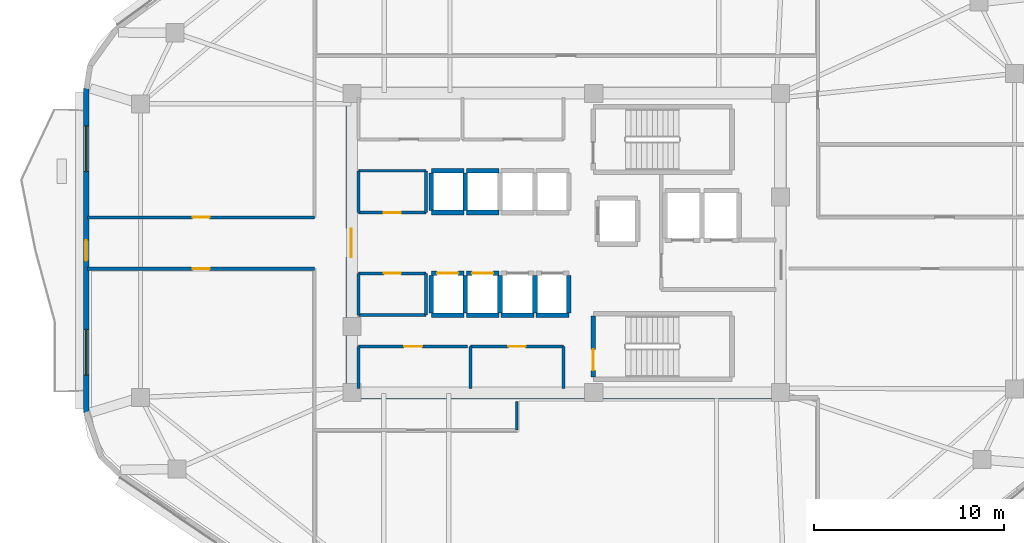
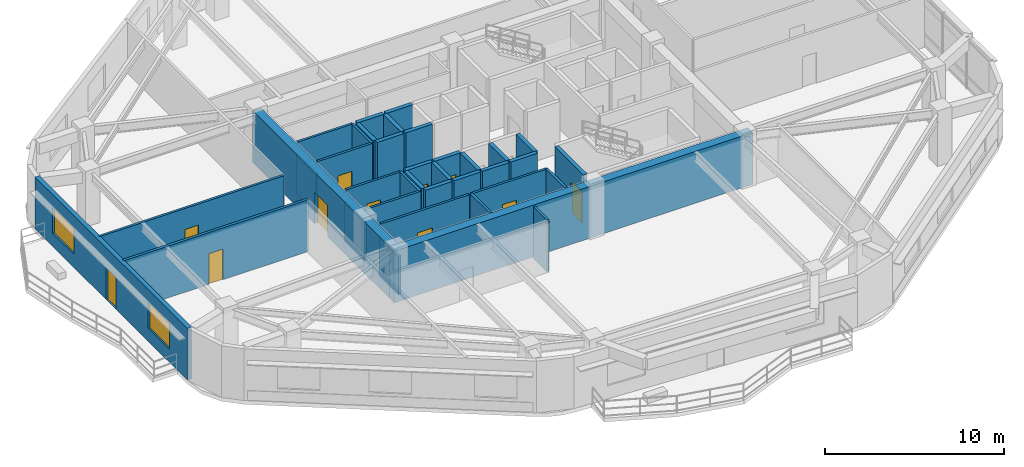
# One storey, part 9 of 14: 37 walls, 11 doors, 2 windows, 13 openings.
"""IFC4 building model written with IfcOpenShell, lengths in metres."""

import ifcopenshell
import ifcopenshell.guid

model = None  # the IFC model being written
_history = None  # IfcOwnerHistory: only IFC2X3 demands one
_inside = {}  # id of a spatial element -> (the spatial element, [elements in it])
_under = {}  # id of a project, library or spatial element -> (it, [spatial elements below it])
_declared = {}  # id of a project -> (the project, [libraries it declares])
_typed = {}  # id of a type object -> (the type object, [elements of that type])
_made_of = {}  # id of a material, layer set ... -> (it, [elements and type objects made of it])


def new_model(schema):
    """Start an empty IFC model of exactly this schema.

    Asked for "IFC4X3", IfcOpenShell would pick the latest addendum, in which some entities
    have other attributes; the version numbers below select the first issue.
    IFC2X3 requires an IfcOwnerHistory on every rooted entity: one is made here for all.
    """
    global model, _history
    if schema == "IFC4X3":
        model = ifcopenshell.file(schema_version=(4, 3, 0, 0))
    else:
        model = ifcopenshell.file(schema=schema)
    _inside.clear()
    _under.clear()
    _declared.clear()
    _typed.clear()
    _made_of.clear()
    _history = None
    if model.schema == "IFC2X3":
        org = make("IfcOrganization", Name="unknown")
        user = make(
            "IfcPersonAndOrganization",
            ThePerson=make("IfcPerson", FamilyName="unknown"),
            TheOrganization=org,
        )
        app = make(
            "IfcApplication",
            ApplicationDeveloper=org,
            Version="unknown",
            ApplicationFullName="unknown",
            ApplicationIdentifier="unknown",
        )
        _history = make(
            "IfcOwnerHistory",
            OwningUser=user,
            OwningApplication=app,
            ChangeAction="ADDED",
            CreationDate=0,
        )
    return model


def make(cls, **values):
    """One entity of the class cls with the attributes given. An attribute that is None is left unset."""
    return model.create_entity(
        cls, **{name: value for name, value in values.items() if value is not None}
    )


def rooted(cls, **values):
    """An entity with a GlobalId (a new one), such as an element, a storey or a relation."""
    return make(cls, GlobalId=ifcopenshell.guid.new(), OwnerHistory=_history, **values)


def si_unit(unit_type, name, prefix=None):
    """IfcSIUnit, for example si_unit("LENGTHUNIT", "METRE", prefix="MILLI")."""
    return make("IfcSIUnit", UnitType=unit_type, Prefix=prefix, Name=name)


def assignment(units):
    """IfcUnitAssignment: the units of a project."""
    return None if units is None else make("IfcUnitAssignment", Units=units)


def point(xyz):
    """IfcCartesianPoint."""
    return None if xyz is None else make("IfcCartesianPoint", Coordinates=xyz)


def direction(xyz):
    """IfcDirection."""
    return None if xyz is None else make("IfcDirection", DirectionRatios=xyz)


def frame(location, z_axis=None, x_axis=None):
    """IfcAxis2Placement3D, a coordinate frame: its origin and axes. An axis left out is left unset."""
    return make(
        "IfcAxis2Placement3D",
        Location=point(location),
        Axis=direction(z_axis),
        RefDirection=direction(x_axis),
    )


def frame_2d(location, x_axis=None):
    """IfcAxis2Placement2D, a coordinate frame in the plane: its origin and x axis."""
    return make(
        "IfcAxis2Placement2D", Location=point(location), RefDirection=direction(x_axis)
    )


def origin():
    """The frame at (0, 0, 0) with its axes left unset."""
    return frame((0.0, 0.0, 0.0))


def place(relative_to, where):
    """IfcLocalPlacement: puts the frame where relative to a parent placement (None: the world)."""
    return make(
        "IfcLocalPlacement", PlacementRelTo=relative_to, RelativePlacement=where
    )


def context(
    kind, dimensions, precision=None, world=None, true_north=None, identifier=None
):
    """IfcGeometricRepresentationContext, for example the 3D "Model" context."""
    return make(
        "IfcGeometricRepresentationContext",
        ContextIdentifier=identifier,
        ContextType=kind,
        CoordinateSpaceDimension=dimensions,
        Precision=precision,
        WorldCoordinateSystem=world,
        TrueNorth=true_north,
    )


def subcontext(parent, identifier, kind, view, scale=None):
    """IfcGeometricRepresentationSubContext, for example "Body" below "Model"."""
    return make(
        "IfcGeometricRepresentationSubContext",
        ContextIdentifier=identifier,
        ContextType=kind,
        ParentContext=parent,
        TargetScale=scale,
        TargetView=view,
    )


def project(units=None, contexts=None):
    """IfcProject with its units and contexts."""
    return rooted(
        "IfcProject",
        Name="project",
        RepresentationContexts=contexts,
        UnitsInContext=assignment(units),
    )


def spatial(cls, under=None, at=None, **own):
    """A site, building, storey or space (cls), placed at a placement, below another one or the project."""
    s = rooted(cls, ObjectPlacement=at, **own)
    if under is not None:
        _under.setdefault(under.id(), (under, []))[1].append(s)
    return s


def profile(cls, at=None, kind="AREA", **sizes):
    """A parametric profile (cls). Its sizes go by their IFC names, for example OverallWidth=200.0."""
    return make(cls, ProfileType=kind, Position=at, **sizes)


def rectangle(**sizes):
    """IfcRectangleProfileDef."""
    return profile("IfcRectangleProfileDef", **sizes)


def extrude(swept, where, along, depth):
    """IfcExtrudedAreaSolid: the profile swept, set in the frame where, extruded along a direction by depth."""
    return make(
        "IfcExtrudedAreaSolid",
        SweptArea=swept,
        Position=where,
        ExtrudedDirection=direction(along),
        Depth=depth,
    )


def shape(context_of_items, identifier, shape_type, items):
    """IfcShapeRepresentation: the items that make up one representation, for example the "Body"."""
    return make(
        "IfcShapeRepresentation",
        ContextOfItems=context_of_items,
        RepresentationIdentifier=identifier,
        RepresentationType=shape_type,
        Items=items,
    )


def material(Name=None, Category=None):
    """IfcMaterial."""
    return make("IfcMaterial", Name=Name, Category=Category)


def layer(
    of_material, thickness, ventilated=None, Name=None, Category=None, Priority=None
):
    """IfcMaterialLayer: one layer of a wall or slab, of a material (None: an air gap)."""
    return make(
        "IfcMaterialLayer",
        Material=of_material,
        LayerThickness=thickness,
        IsVentilated=ventilated,
        Name=Name,
        Category=Category,
        Priority=Priority,
    )


def layer_set(layers, Name=None):
    """IfcMaterialLayerSet."""
    return make("IfcMaterialLayerSet", MaterialLayers=layers, LayerSetName=Name)


def made_of(thing, what):
    """Note that an element or type object is made of a material, layer set ...; save() writes the relation."""
    if what is not None:
        _made_of.setdefault(what.id(), (what, []))[1].append(thing)
    return thing


def type_object(cls, material=None, **own):
    """A type object (cls), such as IfcWallType, which elements share."""
    return made_of(rooted(cls, **own), material)


def element(
    cls,
    number,
    at=None,
    inside=None,
    cuts=None,
    type_object=None,
    material=None,
    context=None,
    identifier="Body",
    shape_type=None,
    held_by="IfcProductDefinitionShape",
    body=None,
    shapes=None,
    **own,
):
    """One element of the class cls, such as IfcWall. Its Tag is "e" and its number.

    at: its placement. inside: the storey or other place that contains it. cuts: it is an
    opening in that element (IfcRelVoidsElement). A single representation is given by context,
    identifier, shape_type and body (its items); several are given by shapes. held_by: the class
    of the entity that holds the representations. save() writes the other relations.
    """
    e = rooted(cls, Tag="e%d" % number, ObjectPlacement=at, **own)
    if body is not None:
        shapes = [shape(context, identifier, shape_type, body)]
    if shapes is not None:
        e.Representation = make(held_by, Representations=shapes)
    if inside is not None:
        _inside.setdefault(inside.id(), (inside, []))[1].append(e)
    if cuts is not None:
        rooted(
            "IfcRelVoidsElement", RelatingBuildingElement=cuts, RelatedOpeningElement=e
        )
    if type_object is not None:
        _typed.setdefault(type_object.id(), (type_object, []))[1].append(e)
    return made_of(e, material)


def fill(opening, filler):
    """IfcRelFillsElement: the door or window that sits in an opening."""
    return rooted(
        "IfcRelFillsElement",
        RelatingOpeningElement=opening,
        RelatedBuildingElement=filler,
    )


def aggregate(whole, parts):
    """IfcRelAggregates: a whole, such as a stair, and the parts it consists of."""
    return rooted("IfcRelAggregates", RelatingObject=whole, RelatedObjects=parts)


def save(model, path):
    """Write the relations noted so far, then the file.

    IfcRelAggregates (storeys below a building ...), IfcRelContainedInSpatialStructure (elements
    in a storey), IfcRelDefinesByType, IfcRelAssociatesMaterial and IfcRelDeclares: one each for
    every whole, place, type object, material and project.
    """
    for whole, parts in _under.values():
        aggregate(whole, parts)
    for where, things in _inside.values():
        rooted(
            "IfcRelContainedInSpatialStructure",
            RelatedElements=things,
            RelatingStructure=where,
        )
    for kind, things in _typed.values():
        rooted("IfcRelDefinesByType", RelatedObjects=things, RelatingType=kind)
    for what, things in _made_of.values():
        rooted("IfcRelAssociatesMaterial", RelatedObjects=things, RelatingMaterial=what)
    for by, libraries in _declared.values():
        rooted("IfcRelDeclares", RelatingContext=by, RelatedDefinitions=libraries)
    model.write(path)


model = new_model("IFC4")

# Units and contexts
model_context = context("Model", 3, precision=1e-05, world=origin(), true_north=direction((0.0, 1.0)))
body_context = subcontext(model_context, "Body", "Model", "MODEL_VIEW")
ifc_project = project(units=[si_unit("LENGTHUNIT", "METRE"), si_unit("AREAUNIT", "SQUARE_METRE"), si_unit("VOLUMEUNIT", "CUBIC_METRE"), si_unit("PLANEANGLEUNIT", "RADIAN"), si_unit("MASSUNIT", "GRAM", prefix="KILO")], contexts=[model_context])

# Site, building, storey
site_placement = place(None, origin())
site = spatial("IfcSite", under=ifc_project, at=site_placement, CompositionType="ELEMENT")
building_placement = place(site_placement, origin())
building = spatial("IfcBuilding", under=site, at=building_placement, Name="Zulverin Broadcast Headquarters", CompositionType="ELEMENT")
storey_placement = place(building_placement, frame((0.0, 0.0, 201.0)))
storey = spatial("IfcBuildingStorey", under=building, at=storey_placement, Name="L51", CompositionType="ELEMENT", Elevation=201.0)

# Wall
ifc_material_1 = material(Name="Concrete C60/75", Category="concrete")
ifc_layer_1 = layer(ifc_material_1, 0.550048828125, Name="Concrete C60/75", Category="concrete")
ifc_layer_set_1 = layer_set([ifc_layer_1], Name="Concrete C60/75")
wall_type_1 = type_object("IfcWallType", Name="WL-CORE-550", PredefinedType="SHEAR", material=ifc_layer_set_1)
wall_1_placement = place(storey_placement, frame((25.39990234375, 17.27490234375, 0.0), z_axis=(0.0, 0.0, 1.0), x_axis=(1.0, 0.0, 0.0)))
element("IfcWall", 1, at=wall_1_placement, inside=storey, type_object=wall_type_1, Name="L51 Core South Shear Wall", PredefinedType="SHEAR", context=body_context, shape_type="SweptSolid", body=[
    extrude(rectangle(XDim=23.2001953125, YDim=0.550048828125, at=frame_2d((11.60009765625, 0.0))), origin(), (0.0, 0.0, 1.0), 3.5400390625),
])

# Wall, opening, door
wall_2_placement = place(storey_placement, frame((25.675048828125, 17.550048828125, 0.0), z_axis=(0.0, 0.0, 1.0), x_axis=(0.0, 1.0, 0.0)))
wall_2 = element("IfcWall", 2, at=wall_2_placement, inside=storey, type_object=wall_type_1, Name="L51 Core West Shear Wall", PredefinedType="SHEAR", context=body_context, shape_type="SweptSolid", body=[
    extrude(rectangle(XDim=15.300048828125, YDim=0.550048828125, at=frame_2d((7.64990234375, 0.0))), origin(), (0.0, 0.0, 1.0), 3.5400390625),
])
opening_1_placement = place(wall_2_placement, frame((6.89990234375, 0.0, 0.0)))
opening_1 = element("IfcOpeningElement", 3, at=opening_1_placement, cuts=wall_2, Name="Opening D-L51-CW1", PredefinedType="OPENING", context=body_context, shape_type="SweptSolid", body=[
    extrude(rectangle(XDim=1.5, YDim=2.14990234375, at=frame_2d((0.75, 1.074951171875))), frame((0.0, 0.284912109375, 0.0), z_axis=(0.0, -1.0, 0.0), x_axis=(1.0, 0.0, 0.0)), (0.0, 0.0, 1.0), 0.570068359375),
])
ifc_material_2 = material(Name="Fire-rated glazed steel frame", Category="steel")
door_type_1 = type_object("IfcDoorType", Name="DR-COR-1500", OperationType="DOUBLE_DOOR_SINGLE_SWING", PredefinedType="DOOR", material=ifc_material_2)
door_1_placement = place(opening_1_placement, origin())
door_1 = element("IfcDoor", 4, at=door_1_placement, inside=storey, type_object=door_type_1, Name="L51 Central Lift Lobby West Portal Door", OperationType="DOUBLE_DOOR_SINGLE_SWING", OverallHeight=2.14990234375, OverallWidth=1.5, PredefinedType="DOOR", context=body_context, shape_type="SweptSolid", body=[
    extrude(rectangle(XDim=1.5, YDim=2.14990234375, at=frame_2d((0.75, 1.074951171875))), frame((0.0, 0.02490234375, 0.0), z_axis=(0.0, -1.0, 0.0), x_axis=(1.0, 0.0, 0.0)), (0.0, 0.0, 1.0), 0.050048828125),
])
fill(opening_1, door_1)

# Wall, openings, door, windows
ifc_material_3 = material(Name="Insulated pale-metal clad concrete spandrel C40/50", Category="concrete")
ifc_layer_2 = layer(ifc_material_3, 0.280029296875, Name="Insulated pale-metal clad concrete spandrel C40/50", Category="concrete")
ifc_layer_set_2 = layer_set([ifc_layer_2], Name="Insulated pale-metal clad concrete spandrel C40/50")
wall_type_2 = type_object("IfcWallType", Name="WL-EXT-280", PredefinedType="STANDARD", material=ifc_layer_set_2)
wall_3_placement = place(storey_placement, frame((11.739990234375, 33.34033203125, 0.0), z_axis=(0.0, 0.0, 1.0), x_axis=(0.0, -1.0, 0.0)))
wall_3 = element("IfcWall", 5, at=wall_3_placement, inside=storey, type_object=wall_type_2, Name="L51 Pale-Metal Clad Spandrel Wall 7", PredefinedType="STANDARD", context=body_context, shape_type="SweptSolid", body=[
    extrude(rectangle(XDim=17.07275390625, YDim=0.280029296875, at=frame_2d((8.536376953125, 0.0))), origin(), (0.0, 0.0, 1.0), 3.5400390625),
])
opening_2_placement = place(wall_3_placement, frame((7.986328125, 0.0, 0.0)))
opening_2 = element("IfcOpeningElement", 6, at=opening_2_placement, cuts=wall_3, Name="Opening D-L51-TR7", PredefinedType="OPENING", context=body_context, shape_type="SweptSolid", body=[
    extrude(rectangle(XDim=1.10009765625, YDim=2.199951171875, at=frame_2d((0.550048828125, 1.10009765625))), frame((0.0, 0.14990234375, 0.0), z_axis=(0.0, -1.0, 0.0), x_axis=(1.0, 0.0, 0.0)), (0.0, 0.0, 1.0), 0.300048828125),
])
opening_3_placement = place(wall_3_placement, frame((1.978759765625, 0.0, 0.89990234375)))
opening_3 = element("IfcOpeningElement", 7, at=opening_3_placement, cuts=wall_3, Name="Opening W-L51-E71", PredefinedType="OPENING", context=body_context, shape_type="SweptSolid", body=[
    extrude(rectangle(XDim=2.39990234375, YDim=1.75, at=frame_2d((1.199951171875, 0.875))), frame((0.0, 0.14990234375, 0.0), z_axis=(0.0, -1.0, 0.0), x_axis=(1.0, 0.0, 0.0)), (0.0, 0.0, 1.0), 0.300048828125),
])
opening_4_placement = place(wall_3_placement, frame((12.69384765625, 0.0, 0.89990234375)))
opening_4 = element("IfcOpeningElement", 8, at=opening_4_placement, cuts=wall_3, Name="Opening W-L51-E72", PredefinedType="OPENING", context=body_context, shape_type="SweptSolid", body=[
    extrude(rectangle(XDim=2.39990234375, YDim=1.75, at=frame_2d((1.199951171875, 0.875))), frame((0.0, 0.14990234375, 0.0), z_axis=(0.0, -1.0, 0.0), x_axis=(1.0, 0.0, 0.0)), (0.0, 0.0, 1.0), 0.300048828125),
])
ifc_material_4 = material(Name="Thermally broken aluminium glazed", Category="aluminium")
door_type_2 = type_object("IfcDoorType", Name="DR-TERR-1100", OperationType="SINGLE_SWING_RIGHT", PredefinedType="DOOR", material=ifc_material_4)
door_2_placement = place(opening_2_placement, origin())
door_2 = element("IfcDoor", 9, at=door_2_placement, inside=storey, type_object=door_type_2, Name="L51 Planted Terrace Glazed Access Door 7", OperationType="SINGLE_SWING_RIGHT", OverallHeight=2.199951171875, OverallWidth=1.10009765625, PredefinedType="DOOR", context=body_context, shape_type="SweptSolid", body=[
    extrude(rectangle(XDim=1.10009765625, YDim=2.199951171875, at=frame_2d((0.550048828125, 1.10009765625))), frame((0.0, 0.02490234375, 0.0), z_axis=(0.0, -1.0, 0.0), x_axis=(1.0, 0.0, 0.0)), (0.0, 0.0, 1.0), 0.050048828125),
])
fill(opening_2, door_2)
ifc_material_5 = material(Name="Pale anodized aluminium frame with solar-control low-E double glazing", Category="aluminium")
window_type = type_object("IfcWindowType", Name="WIN-RIB-2400", PartitioningType="SINGLE_PANEL", PredefinedType="WINDOW", material=ifc_material_5)
window_1_placement = place(opening_3_placement, origin())
window_1 = element("IfcWindow", 10, at=window_1_placement, inside=storey, type_object=window_type, Name="L51 Ribbon Glazing Window 7 1", OverallHeight=1.75, OverallWidth=2.39990234375, PartitioningType="SINGLE_PANEL", PredefinedType="WINDOW", context=body_context, shape_type="SweptSolid", body=[
    extrude(rectangle(XDim=2.39990234375, YDim=1.75, at=frame_2d((1.199951171875, 0.875))), frame((0.0, 0.030029296875, 0.0), z_axis=(0.0, -1.0, 0.0), x_axis=(1.0, 0.0, 0.0)), (0.0, 0.0, 1.0), 0.06005859375),
])
fill(opening_3, window_1)
window_2_placement = place(opening_4_placement, origin())
window_2 = element("IfcWindow", 11, at=window_2_placement, inside=storey, type_object=window_type, Name="L51 Ribbon Glazing Window 7 2", OverallHeight=1.75, OverallWidth=2.39990234375, PartitioningType="SINGLE_PANEL", PredefinedType="WINDOW", context=body_context, shape_type="SweptSolid", body=[
    extrude(rectangle(XDim=2.39990234375, YDim=1.75, at=frame_2d((1.199951171875, 0.875))), frame((0.0, 0.030029296875, 0.0), z_axis=(0.0, -1.0, 0.0), x_axis=(1.0, 0.0, 0.0)), (0.0, 0.0, 1.0), 0.06005859375),
])
fill(opening_4, window_2)

# Wall, opening, door
ifc_material_6 = material(Name="Fire-rated gypsum stud partition", Category="gypsum")
ifc_layer_3 = layer(ifc_material_6, 0.14990234375, Name="Fire-rated gypsum stud partition", Category="gypsum")
ifc_layer_set_3 = layer_set([ifc_layer_3], Name="Fire-rated gypsum stud partition")
wall_type_3 = type_object("IfcWallType", Name="WL-PART-150", PredefinedType="PARTITIONING", material=ifc_layer_set_3)
wall_4_placement = place(storey_placement, frame((26.070068359375, 19.75, 0.0), z_axis=(0.0, 0.0, 1.0), x_axis=(1.0, 0.0, 0.0)))
wall_4 = element("IfcWall", 12, at=wall_4_placement, inside=storey, type_object=wall_type_3, Name="L51 Core Female WC Front Wall", PredefinedType="PARTITIONING", context=body_context, shape_type="SweptSolid", body=[
    extrude(rectangle(XDim=5.739990234375, YDim=0.14990234375, at=frame_2d((2.8701171875, 0.0))), origin(), (0.0, 0.0, 1.0), 3.5400390625),
])
opening_5_placement = place(wall_4_placement, frame((2.39501953125, 0.0, 0.0)))
opening_5 = element("IfcOpeningElement", 13, at=opening_5_placement, cuts=wall_4, Name="Opening D-L51-SC1", PredefinedType="OPENING", context=body_context, shape_type="SweptSolid", body=[
    extrude(rectangle(XDim=0.949951171875, YDim=2.10009765625, at=frame_2d((0.47509765625, 1.050048828125))), frame((0.0, 0.0849609375, 0.0), z_axis=(0.0, -1.0, 0.0), x_axis=(1.0, 0.0, 0.0)), (0.0, 0.0, 1.0), 0.169921875),
])
ifc_material_7 = material(Name="Fire-rated moisture-resistant laminate leaf", Category="wood")
door_type_3 = type_object("IfcDoorType", Name="DR-WC-950", OperationType="SINGLE_SWING_LEFT", PredefinedType="DOOR", material=ifc_material_7)
door_3_placement = place(opening_5_placement, origin())
door_3 = element("IfcDoor", 14, at=door_3_placement, inside=storey, type_object=door_type_3, Name="L51 Female WC Door", OperationType="SINGLE_SWING_LEFT", OverallHeight=2.10009765625, OverallWidth=0.949951171875, PredefinedType="DOOR", context=body_context, shape_type="SweptSolid", body=[
    extrude(rectangle(XDim=0.949951171875, YDim=2.10009765625, at=frame_2d((0.47509765625, 1.050048828125))), frame((0.0, 0.02490234375, 0.0), z_axis=(0.0, -1.0, 0.0), x_axis=(1.0, 0.0, 0.0)), (0.0, 0.0, 1.0), 0.050048828125),
])
fill(opening_5, door_3)

# Wall
wall_5_placement = place(storey_placement, frame((26.070068359375, 17.550048828125, 0.0), z_axis=(0.0, 0.0, 1.0), x_axis=(0.0, 1.0, 0.0)))
element("IfcWall", 15, at=wall_5_placement, inside=storey, type_object=wall_type_3, Name="L51 Core Female WC West Wall", PredefinedType="PARTITIONING", context=body_context, shape_type="SweptSolid", body=[
    extrude(rectangle(XDim=2.199951171875, YDim=0.14990234375, at=frame_2d((1.10009765625, 0.0))), origin(), (0.0, 0.0, 1.0), 2.639892578125),
])

# Wall, opening, door
wall_6_placement = place(storey_placement, frame((31.969970703125, 19.75, 0.0), z_axis=(0.0, 0.0, 1.0), x_axis=(1.0, 0.0, 0.0)))
wall_6 = element("IfcWall", 16, at=wall_6_placement, inside=storey, type_object=wall_type_3, Name="L51 Core Cleaner Store & Telecoms Riser Front Wall", PredefinedType="PARTITIONING", context=body_context, shape_type="SweptSolid", body=[
    extrude(rectangle(XDim=4.880126953125, YDim=0.14990234375, at=frame_2d((2.43994140625, 0.0))), origin(), (0.0, 0.0, 1.0), 3.5400390625),
])
opening_6_placement = place(wall_6_placement, frame((1.989990234375, 0.0, 0.0)))
opening_6 = element("IfcOpeningElement", 17, at=opening_6_placement, cuts=wall_6, Name="Opening D-L51-SC2", PredefinedType="OPENING", context=body_context, shape_type="SweptSolid", body=[
    extrude(rectangle(XDim=0.89990234375, YDim=2.10009765625, at=frame_2d((0.449951171875, 1.050048828125))), frame((0.0, 0.0849609375, 0.0), z_axis=(0.0, -1.0, 0.0), x_axis=(1.0, 0.0, 0.0)), (0.0, 0.0, 1.0), 0.169921875),
])
ifc_material_8 = material(Name="Powder-coated steel access leaf", Category="steel")
door_type_4 = type_object("IfcDoorType", Name="DR-RISER-900", OperationType="SINGLE_SWING_LEFT", PredefinedType="DOOR", material=ifc_material_8)
door_4_placement = place(opening_6_placement, origin())
door_4 = element("IfcDoor", 18, at=door_4_placement, inside=storey, type_object=door_type_4, Name="L51 Cleaner Store & Telecoms Riser Door", OperationType="SINGLE_SWING_RIGHT", OverallHeight=2.10009765625, OverallWidth=0.89990234375, PredefinedType="DOOR", context=body_context, shape_type="SweptSolid", body=[
    extrude(rectangle(XDim=0.89990234375, YDim=2.10009765625, at=frame_2d((0.449951171875, 1.050048828125))), frame((0.0, 0.02490234375, 0.0), z_axis=(0.0, -1.0, 0.0), x_axis=(1.0, 0.0, 0.0)), (0.0, 0.0, 1.0), 0.050048828125),
])
fill(opening_6, door_4)

# Walls
for number, where, z_axis, x_axis, name in (
    (19, (31.969970703125, 17.550048828125, 0.0), (0.0, 0.0, 1.0), (0.0, 1.0, 0.0), "L51 Core Cleaner Store & Telecoms Riser West Wall"),
    (20, (36.85009765625, 17.550048828125, 0.0), (0.0, 0.0, 1.0), (0.0, 1.0, 0.0), "L51 Core Cleaner Store & Telecoms Riser East Wall"),
):
    element("IfcWall", number, at=place(storey_placement, frame(where, z_axis=z_axis, x_axis=x_axis)), inside=storey, type_object=wall_type_3, Name=name, PredefinedType="PARTITIONING", context=body_context, shape_type="SweptSolid", body=[
        extrude(rectangle(XDim=2.199951171875, YDim=0.14990234375, at=frame_2d((1.10009765625, 0.0))), origin(), (0.0, 0.0, 1.0), 3.5400390625),
    ])

# Wall, opening, door
wall_7_placement = place(storey_placement, frame((26.070068359375, 26.800048828125, 0.0), z_axis=(0.0, 0.0, 1.0), x_axis=(1.0, 0.0, 0.0)))
wall_7 = element("IfcWall", 21, at=wall_7_placement, inside=storey, type_object=wall_type_3, Name="L51 Broadcast Signal Patch Room S Wall", PredefinedType="PARTITIONING", context=body_context, shape_type="SweptSolid", body=[
    extrude(rectangle(XDim=3.550048828125, YDim=0.14990234375, at=frame_2d((1.77490234375, 0.0))), origin(), (0.0, 0.0, 1.0), 3.5400390625),
])
opening_7_placement = place(wall_7_placement, frame((1.324951171875, 0.0, 0.0)))
opening_7 = element("IfcOpeningElement", 22, at=opening_7_placement, cuts=wall_7, Name="Opening D-L51-RCLN", PredefinedType="OPENING", context=body_context, shape_type="SweptSolid", body=[
    extrude(rectangle(XDim=0.89990234375, YDim=2.10009765625, at=frame_2d((0.449951171875, 1.050048828125))), frame((0.0, 0.0849609375, 0.0), z_axis=(0.0, -1.0, 0.0), x_axis=(1.0, 0.0, 0.0)), (0.0, 0.0, 1.0), 0.169921875),
])
door_5_placement = place(opening_7_placement, origin())
door_5 = element("IfcDoor", 23, at=door_5_placement, inside=storey, type_object=door_type_4, Name="L51 Broadcast Signal Patch Room Door", OperationType="SINGLE_SWING_LEFT", OverallHeight=2.10009765625, OverallWidth=0.89990234375, PredefinedType="DOOR", context=body_context, shape_type="SweptSolid", body=[
    extrude(rectangle(XDim=0.89990234375, YDim=2.10009765625, at=frame_2d((0.449951171875, 1.050048828125))), frame((0.0, 0.02490234375, 0.0), z_axis=(0.0, -1.0, 0.0), x_axis=(1.0, 0.0, 0.0)), (0.0, 0.0, 1.0), 0.050048828125),
])
fill(opening_7, door_5)

# Walls
wall_8_placement = place(storey_placement, frame((26.070068359375, 29.0, 0.0), z_axis=(0.0, 0.0, 1.0), x_axis=(1.0, 0.0, 0.0)))
element("IfcWall", 24, at=wall_8_placement, inside=storey, type_object=wall_type_3, Name="L51 Broadcast Signal Patch Room N Wall", PredefinedType="PARTITIONING", context=body_context, shape_type="SweptSolid", body=[
    extrude(rectangle(XDim=3.550048828125, YDim=0.14990234375, at=frame_2d((1.77490234375, 0.0))), origin(), (0.0, 0.0, 1.0), 3.5400390625),
])
wall_9_placement = place(storey_placement, frame((26.070068359375, 26.800048828125, 0.0), z_axis=(0.0, 0.0, 1.0), x_axis=(0.0, 1.0, 0.0)))
element("IfcWall", 25, at=wall_9_placement, inside=storey, type_object=wall_type_3, Name="L51 Broadcast Signal Patch Room W Wall", PredefinedType="PARTITIONING", context=body_context, shape_type="SweptSolid", body=[
    extrude(rectangle(XDim=2.199951171875, YDim=0.14990234375, at=frame_2d((1.10009765625, 0.0))), origin(), (0.0, 0.0, 1.0), 2.639892578125),
])
wall_10_placement = place(storey_placement, frame((29.6201171875, 26.800048828125, 0.0), z_axis=(0.0, 0.0, 1.0), x_axis=(0.0, 1.0, 0.0)))
element("IfcWall", 26, at=wall_10_placement, inside=storey, type_object=wall_type_3, Name="L51 Broadcast Signal Patch Room E Wall", PredefinedType="PARTITIONING", context=body_context, shape_type="SweptSolid", body=[
    extrude(rectangle(XDim=2.199951171875, YDim=0.14990234375, at=frame_2d((1.10009765625, 0.0))), origin(), (0.0, 0.0, 1.0), 3.5400390625),
])
wall_11_placement = place(storey_placement, frame((26.070068359375, 21.39990234375, 0.0), z_axis=(0.0, 0.0, 1.0), x_axis=(1.0, 0.0, 0.0)))
element("IfcWall", 27, at=wall_11_placement, inside=storey, type_object=wall_type_3, Name="L51 Media Ingestion Server Room S Wall", PredefinedType="PARTITIONING", context=body_context, shape_type="SweptSolid", body=[
    extrude(rectangle(XDim=3.550048828125, YDim=0.14990234375, at=frame_2d((1.77490234375, 0.0))), origin(), (0.0, 0.0, 1.0), 3.5400390625),
])

# Wall, opening, door
wall_12_placement = place(storey_placement, frame((26.070068359375, 23.60009765625, 0.0), z_axis=(0.0, 0.0, 1.0), x_axis=(1.0, 0.0, 0.0)))
wall_12 = element("IfcWall", 28, at=wall_12_placement, inside=storey, type_object=wall_type_3, Name="L51 Media Ingestion Server Room N Wall", PredefinedType="PARTITIONING", context=body_context, shape_type="SweptSolid", body=[
    extrude(rectangle(XDim=3.550048828125, YDim=0.14990234375, at=frame_2d((1.77490234375, 0.0))), origin(), (0.0, 0.0, 1.0), 3.5400390625),
])
opening_8_placement = place(wall_12_placement, frame((1.324951171875, 0.0, 0.0)))
opening_8 = element("IfcOpeningElement", 29, at=opening_8_placement, cuts=wall_12, Name="Opening D-L51-RCLS", PredefinedType="OPENING", context=body_context, shape_type="SweptSolid", body=[
    extrude(rectangle(XDim=0.89990234375, YDim=2.10009765625, at=frame_2d((0.449951171875, 1.050048828125))), frame((0.0, 0.0849609375, 0.0), z_axis=(0.0, -1.0, 0.0), x_axis=(1.0, 0.0, 0.0)), (0.0, 0.0, 1.0), 0.169921875),
])
door_6_placement = place(opening_8_placement, origin())
door_6 = element("IfcDoor", 30, at=door_6_placement, inside=storey, type_object=door_type_4, Name="L51 Media Ingestion Server Room Door", OperationType="SINGLE_SWING_RIGHT", OverallHeight=2.10009765625, OverallWidth=0.89990234375, PredefinedType="DOOR", context=body_context, shape_type="SweptSolid", body=[
    extrude(rectangle(XDim=0.89990234375, YDim=2.10009765625, at=frame_2d((0.449951171875, 1.050048828125))), frame((0.0, 0.02490234375, 0.0), z_axis=(0.0, -1.0, 0.0), x_axis=(1.0, 0.0, 0.0)), (0.0, 0.0, 1.0), 0.050048828125),
])
fill(opening_8, door_6)

# Walls
wall_13_placement = place(storey_placement, frame((26.070068359375, 21.39990234375, 0.0), z_axis=(0.0, 0.0, 1.0), x_axis=(0.0, 1.0, 0.0)))
element("IfcWall", 31, at=wall_13_placement, inside=storey, type_object=wall_type_3, Name="L51 Media Ingestion Server Room W Wall", PredefinedType="PARTITIONING", context=body_context, shape_type="SweptSolid", body=[
    extrude(rectangle(XDim=2.2001953125, YDim=0.14990234375, at=frame_2d((1.10009765625, 0.0))), origin(), (0.0, 0.0, 1.0), 2.639892578125),
])
wall_14_placement = place(storey_placement, frame((29.6201171875, 21.39990234375, 0.0), z_axis=(0.0, 0.0, 1.0), x_axis=(0.0, 1.0, 0.0)))
element("IfcWall", 32, at=wall_14_placement, inside=storey, type_object=wall_type_3, Name="L51 Media Ingestion Server Room E Wall", PredefinedType="PARTITIONING", context=body_context, shape_type="SweptSolid", body=[
    extrude(rectangle(XDim=2.2001953125, YDim=0.14990234375, at=frame_2d((1.10009765625, 0.0))), origin(), (0.0, 0.0, 1.0), 3.5400390625),
])
wall_15_placement = place(storey_placement, frame((34.39990234375, 15.35009765625, 0.0), z_axis=(0.0, 0.0, 1.0), x_axis=(0.0, 1.0, 0.0)))
element("IfcWall", 33, at=wall_15_placement, inside=storey, type_object=wall_type_3, Name="L51 Gallery Partition Wall CG-03", PredefinedType="PARTITIONING", context=body_context, shape_type="SweptSolid", body=[
    extrude(rectangle(XDim=1.510009765625, YDim=0.14990234375, at=frame_2d((0.7548828125, 0.0))), origin(), (0.0, 0.0, 1.0), 3.5400390625),
])

# Wall, opening, door
wall_16_placement = place(storey_placement, frame((11.804931640625, 26.550048828125, 0.0), z_axis=(0.0, 0.0, 1.0), x_axis=(1.0, 0.0, 0.0)))
wall_16 = element("IfcWall", 34, at=wall_16_placement, inside=storey, type_object=wall_type_3, Name="L51 Gallery Partition Wall CG-10", PredefinedType="PARTITIONING", context=body_context, shape_type="SweptSolid", body=[
    extrude(rectangle(XDim=11.945068359375, YDim=0.14990234375, at=frame_2d((5.97265625, 0.0))), origin(), (0.0, 0.0, 1.0), 3.5400390625),
])
opening_9_placement = place(wall_16_placement, frame((5.5224609375, 0.0, 0.0)))
opening_9 = element("IfcOpeningElement", 35, at=opening_9_placement, cuts=wall_16, Name="Opening D-L51-04", PredefinedType="OPENING", context=body_context, shape_type="SweptSolid", body=[
    extrude(rectangle(XDim=0.89990234375, YDim=2.10009765625, at=frame_2d((0.449951171875, 1.050048828125))), frame((0.0, 0.0849609375, 0.0), z_axis=(0.0, -1.0, 0.0), x_axis=(1.0, 0.0, 0.0)), (0.0, 0.0, 1.0), 0.169921875),
])
ifc_material_9 = material(Name="Fire-rated hardwood veneer timber leaf", Category="wood")
door_type_5 = type_object("IfcDoorType", Name="DR-ROOM-900", OperationType="SINGLE_SWING_RIGHT", PredefinedType="DOOR", material=ifc_material_9)
door_7_placement = place(opening_9_placement, origin())
door_7 = element("IfcDoor", 36, at=door_7_placement, inside=storey, type_object=door_type_5, Name="L51 Coffee Cafe & Bistro Door", OperationType="SINGLE_SWING_RIGHT", OverallHeight=2.10009765625, OverallWidth=0.89990234375, PredefinedType="DOOR", context=body_context, shape_type="SweptSolid", body=[
    extrude(rectangle(XDim=0.89990234375, YDim=2.10009765625, at=frame_2d((0.449951171875, 1.050048828125))), frame((0.0, 0.02490234375, 0.0), z_axis=(0.0, -1.0, 0.0), x_axis=(1.0, 0.0, 0.0)), (0.0, 0.0, 1.0), 0.050048828125),
])
fill(opening_9, door_7)

ifc_material_10 = material(Name="Fire-rated acoustic stud wall", Category="gypsum")
ifc_layer_4 = layer(ifc_material_10, 0.175048828125, Name="Fire-rated acoustic stud wall", Category="gypsum")
ifc_layer_set_4 = layer_set([ifc_layer_4], Name="Fire-rated acoustic stud wall")
wall_type_4 = type_object("IfcWallType", Name="WL-PART-175", PredefinedType="PARTITIONING", material=ifc_layer_set_4)
wall_17_placement = place(storey_placement, frame((11.804931640625, 23.85009765625, 0.0), z_axis=(0.0, 0.0, 1.0), x_axis=(1.0, 0.0, 0.0)))
wall_17 = element("IfcWall", 37, at=wall_17_placement, inside=storey, type_object=wall_type_4, Name="L51 Gallery Partition Wall CG-08", PredefinedType="PARTITIONING", context=body_context, shape_type="SweptSolid", body=[
    extrude(rectangle(XDim=11.945068359375, YDim=0.175048828125, at=frame_2d((5.97265625, 0.0))), origin(), (0.0, 0.0, 1.0), 3.5400390625),
])
opening_10_placement = place(wall_17_placement, frame((5.5224609375, 0.0, 0.0)))
opening_10 = element("IfcOpeningElement", 38, at=opening_10_placement, cuts=wall_17, Name="Opening D-L51-03", PredefinedType="OPENING", context=body_context, shape_type="SweptSolid", body=[
    extrude(rectangle(XDim=0.89990234375, YDim=2.10009765625, at=frame_2d((0.449951171875, 1.050048828125))), frame((0.0, 0.097412109375, 0.0), z_axis=(0.0, -1.0, 0.0), x_axis=(1.0, 0.0, 0.0)), (0.0, 0.0, 1.0), 0.195068359375),
])
door_8_placement = place(opening_10_placement, origin())
door_8 = element("IfcDoor", 39, at=door_8_placement, inside=storey, type_object=door_type_5, Name="L51 Tech Exhibition Gallery Door", OperationType="SINGLE_SWING_LEFT", OverallHeight=2.10009765625, OverallWidth=0.89990234375, PredefinedType="DOOR", context=body_context, shape_type="SweptSolid", body=[
    extrude(rectangle(XDim=0.89990234375, YDim=2.10009765625, at=frame_2d((0.449951171875, 1.050048828125))), frame((0.0, 0.02490234375, 0.0), z_axis=(0.0, -1.0, 0.0), x_axis=(1.0, 0.0, 0.0)), (0.0, 0.0, 1.0), 0.050048828125),
])
fill(opening_10, door_8)

ifc_material_11 = material(Name="Concrete C50/60", Category="concrete")
ifc_layer_5 = layer(ifc_material_11, 0.25, Name="Concrete C50/60", Category="concrete")
ifc_layer_set_5 = layer_set([ifc_layer_5], Name="Concrete C50/60")
wall_type_5 = type_object("IfcWallType", Name="WL-SHAFT-250", PredefinedType="SHEAR", material=ifc_layer_set_5)
wall_18_placement = place(storey_placement, frame((38.425048828125, 18.14990234375, 0.0), z_axis=(0.0, 0.0, 1.0), x_axis=(0.0, 1.0, 0.0)))
wall_18 = element("IfcWall", 40, at=wall_18_placement, inside=storey, type_object=wall_type_5, Name="L51 ST-2 Enclosure Wall W", PredefinedType="SHEAR", context=body_context, shape_type="SweptSolid", body=[
    extrude(rectangle(XDim=3.2001953125, YDim=0.25, at=frame_2d((1.60009765625, 0.0))), origin(), (0.0, 0.0, 1.0), 3.5400390625),
])
opening_11_placement = place(wall_18_placement, frame((0.35009765625, 0.0, 0.0)))
opening_11 = element("IfcOpeningElement", 41, at=opening_11_placement, cuts=wall_18, Name="Opening D-L51-ST-2", PredefinedType="OPENING", context=body_context, shape_type="SweptSolid", body=[
    extrude(rectangle(XDim=1.10009765625, YDim=2.14990234375, at=frame_2d((0.550048828125, 1.074951171875))), frame((0.0, 0.135009765625, 0.0), z_axis=(0.0, -1.0, 0.0), x_axis=(1.0, 0.0, 0.0)), (0.0, 0.0, 1.0), 0.27001953125),
])
ifc_material_12 = material(Name="Fire-rated steel leaf and frame", Category="steel")
door_type_6 = type_object("IfcDoorType", Name="DR-STAIR-1100", OperationType="SINGLE_SWING_LEFT", PredefinedType="DOOR", material=ifc_material_12)
door_9_placement = place(opening_11_placement, origin())
door_9 = element("IfcDoor", 42, at=door_9_placement, inside=storey, type_object=door_type_6, Name="L51 Exit Stair ST-2 Fire Door", OperationType="SINGLE_SWING_RIGHT", OverallHeight=2.14990234375, OverallWidth=1.10009765625, PredefinedType="DOOR", context=body_context, shape_type="SweptSolid", body=[
    extrude(rectangle(XDim=1.10009765625, YDim=2.14990234375, at=frame_2d((0.550048828125, 1.074951171875))), frame((0.0, 0.02490234375, 0.0), z_axis=(0.0, -1.0, 0.0), x_axis=(1.0, 0.0, 0.0)), (0.0, 0.0, 1.0), 0.050048828125),
])
fill(opening_11, door_9)

# Wall
wall_19_placement = place(storey_placement, frame((29.89990234375, 21.39990234375, 0.0), z_axis=(0.0, 0.0, 1.0), x_axis=(1.0, 0.0, 0.0)))
element("IfcWall", 43, at=wall_19_placement, inside=storey, type_object=wall_type_5, Name="L51 Lift PL-M1 Shaft Wall S", PredefinedType="SHEAR", context=body_context, shape_type="SweptSolid", body=[
    extrude(rectangle(XDim=1.72021484375, YDim=0.25, at=frame_2d((0.860107421875, 0.0))), origin(), (0.0, 0.0, 1.0), 3.5400390625),
])

# Wall, opening, door
wall_20_placement = place(storey_placement, frame((29.89990234375, 23.60009765625, 0.0), z_axis=(0.0, 0.0, 1.0), x_axis=(1.0, 0.0, 0.0)))
wall_20 = element("IfcWall", 44, at=wall_20_placement, inside=storey, type_object=wall_type_5, Name="L51 Lift PL-M1 Shaft Wall N", PredefinedType="SHEAR", context=body_context, shape_type="SweptSolid", body=[
    extrude(rectangle(XDim=1.72021484375, YDim=0.25, at=frame_2d((0.860107421875, 0.0))), origin(), (0.0, 0.0, 1.0), 3.5400390625),
])
opening_12_placement = place(wall_20_placement, frame((0.31005859375, 0.0, 0.0)))
opening_12 = element("IfcOpeningElement", 45, at=opening_12_placement, cuts=wall_20, Name="Opening LD-PL-M1-L51", PredefinedType="OPENING", context=body_context, shape_type="SweptSolid", body=[
    extrude(rectangle(XDim=1.10009765625, YDim=2.14990234375, at=frame_2d((0.550048828125, 1.074951171875))), frame((0.0, 0.135009765625, 0.0), z_axis=(0.0, -1.0, 0.0), x_axis=(1.0, 0.0, 0.0)), (0.0, 0.0, 1.0), 0.27001953125),
])
ifc_material_13 = material(Name="Brushed stainless steel landing", Category="steel")
door_type_7 = type_object("IfcDoorType", Name="LD-PASS-1100", OperationType="DOUBLE_DOOR_SLIDING", PredefinedType="DOOR", material=ifc_material_13)
door_10_placement = place(opening_12_placement, origin())
door_10 = element("IfcDoor", 46, at=door_10_placement, inside=storey, type_object=door_type_7, Name="L51 Lift PL-M1 Sliding Landing Door", OperationType="DOUBLE_DOOR_SLIDING", OverallHeight=2.14990234375, OverallWidth=1.10009765625, PredefinedType="DOOR", context=body_context, shape_type="SweptSolid", body=[
    extrude(rectangle(XDim=1.10009765625, YDim=2.14990234375, at=frame_2d((0.550048828125, 1.074951171875))), frame((0.0, 0.02490234375, 0.0), z_axis=(0.0, -1.0, 0.0), x_axis=(1.0, 0.0, 0.0)), (0.0, 0.0, 1.0), 0.050048828125),
])
fill(opening_12, door_10)

# Walls
for number, where, z_axis, x_axis, name in (
    (47, (29.89990234375, 21.52001953125, 0.0), (0.0, 0.0, 1.0), (0.0, 1.0, 0.0), "L51 Lift PL-M1 Shaft Wall W"),
    (48, (31.679931640625, 21.52001953125, 0.0), (0.0, 0.0, 1.0), (0.0, 1.0, 0.0), "L51 Lift PL-M1 Shaft Wall E"),
):
    element("IfcWall", number, at=place(storey_placement, frame(where, z_axis=z_axis, x_axis=x_axis)), inside=storey, type_object=wall_type_5, Name=name, PredefinedType="SHEAR", context=body_context, shape_type="SweptSolid", body=[
        extrude(rectangle(XDim=1.9599609375, YDim=0.25, at=frame_2d((0.97998046875, 0.0))), origin(), (0.0, 0.0, 1.0), 3.5400390625),
    ])
wall_21_placement = place(storey_placement, frame((31.739990234375, 21.39990234375, 0.0), z_axis=(0.0, 0.0, 1.0), x_axis=(1.0, 0.0, 0.0)))
element("IfcWall", 49, at=wall_21_placement, inside=storey, type_object=wall_type_5, Name="L51 Lift PL-M2 Shaft Wall S", PredefinedType="SHEAR", context=body_context, shape_type="SweptSolid", body=[
    extrude(rectangle(XDim=1.719970703125, YDim=0.25, at=frame_2d((0.85986328125, 0.0))), origin(), (0.0, 0.0, 1.0), 3.5400390625),
])

# Wall, opening, door
wall_22_placement = place(storey_placement, frame((31.739990234375, 23.60009765625, 0.0), z_axis=(0.0, 0.0, 1.0), x_axis=(1.0, 0.0, 0.0)))
wall_22 = element("IfcWall", 50, at=wall_22_placement, inside=storey, type_object=wall_type_5, Name="L51 Lift PL-M2 Shaft Wall N", PredefinedType="SHEAR", context=body_context, shape_type="SweptSolid", body=[
    extrude(rectangle(XDim=1.719970703125, YDim=0.25, at=frame_2d((0.85986328125, 0.0))), origin(), (0.0, 0.0, 1.0), 3.5400390625),
])
opening_13_placement = place(wall_22_placement, frame((0.31005859375, 0.0, 0.0)))
opening_13 = element("IfcOpeningElement", 51, at=opening_13_placement, cuts=wall_22, Name="Opening LD-PL-M2-L51", PredefinedType="OPENING", context=body_context, shape_type="SweptSolid", body=[
    extrude(rectangle(XDim=1.10009765625, YDim=2.14990234375, at=frame_2d((0.550048828125, 1.074951171875))), frame((0.0, 0.135009765625, 0.0), z_axis=(0.0, -1.0, 0.0), x_axis=(1.0, 0.0, 0.0)), (0.0, 0.0, 1.0), 0.27001953125),
])
door_11_placement = place(opening_13_placement, origin())
door_11 = element("IfcDoor", 52, at=door_11_placement, inside=storey, type_object=door_type_7, Name="L51 Lift PL-M2 Sliding Landing Door", OperationType="DOUBLE_DOOR_SLIDING", OverallHeight=2.14990234375, OverallWidth=1.10009765625, PredefinedType="DOOR", context=body_context, shape_type="SweptSolid", body=[
    extrude(rectangle(XDim=1.10009765625, YDim=2.14990234375, at=frame_2d((0.550048828125, 1.074951171875))), frame((0.0, 0.02490234375, 0.0), z_axis=(0.0, -1.0, 0.0), x_axis=(1.0, 0.0, 0.0)), (0.0, 0.0, 1.0), 0.050048828125),
])
fill(opening_13, door_11)

# Walls
wall_23_placement = place(storey_placement, frame((33.52001953125, 21.52001953125, 0.0), z_axis=(0.0, 0.0, 1.0), x_axis=(0.0, 1.0, 0.0)))
element("IfcWall", 53, at=wall_23_placement, inside=storey, type_object=wall_type_5, Name="L51 Lift PL-M2 Shaft Wall E", PredefinedType="SHEAR", context=body_context, shape_type="SweptSolid", body=[
    extrude(rectangle(XDim=1.9599609375, YDim=0.25, at=frame_2d((0.97998046875, 0.0))), origin(), (0.0, 0.0, 1.0), 3.5400390625),
])
wall_24_placement = place(storey_placement, frame((33.580078125, 21.39990234375, 0.0), z_axis=(0.0, 0.0, 1.0), x_axis=(1.0, 0.0, 0.0)))
element("IfcWall", 54, at=wall_24_placement, inside=storey, type_object=wall_type_5, Name="L51 Lift PL-M3 Shaft Wall S", PredefinedType="SHEAR", context=body_context, shape_type="SweptSolid", body=[
    extrude(rectangle(XDim=1.719970703125, YDim=0.25, at=frame_2d((0.85986328125, 0.0))), origin(), (0.0, 0.0, 1.0), 3.5400390625),
])
wall_25_placement = place(storey_placement, frame((35.360107421875, 21.52001953125, 0.0), z_axis=(0.0, 0.0, 1.0), x_axis=(0.0, 1.0, 0.0)))
element("IfcWall", 55, at=wall_25_placement, inside=storey, type_object=wall_type_5, Name="L51 Lift PL-M3 Shaft Wall E", PredefinedType="SHEAR", context=body_context, shape_type="SweptSolid", body=[
    extrude(rectangle(XDim=1.9599609375, YDim=0.25, at=frame_2d((0.97998046875, 0.0))), origin(), (0.0, 0.0, 1.0), 3.5400390625),
])
wall_26_placement = place(storey_placement, frame((35.419921875, 21.39990234375, 0.0), z_axis=(0.0, 0.0, 1.0), x_axis=(1.0, 0.0, 0.0)))
element("IfcWall", 56, at=wall_26_placement, inside=storey, type_object=wall_type_5, Name="L51 Lift PL-M4 Shaft Wall S", PredefinedType="SHEAR", context=body_context, shape_type="SweptSolid", body=[
    extrude(rectangle(XDim=1.719970703125, YDim=0.25, at=frame_2d((0.85986328125, 0.0))), origin(), (0.0, 0.0, 1.0), 3.5400390625),
])
wall_27_placement = place(storey_placement, frame((37.139892578125, 21.52001953125, 0.0), z_axis=(0.0, 0.0, 1.0), x_axis=(0.0, 1.0, 0.0)))
element("IfcWall", 57, at=wall_27_placement, inside=storey, type_object=wall_type_5, Name="L51 Lift PL-M4 Shaft Wall E", PredefinedType="SHEAR", context=body_context, shape_type="SweptSolid", body=[
    extrude(rectangle(XDim=1.9599609375, YDim=0.25, at=frame_2d((0.97998046875, 0.0))), origin(), (0.0, 0.0, 1.0), 3.5400390625),
])
for number, where, z_axis, x_axis, name in (
    (58, (29.89990234375, 26.800048828125, 0.0), (0.0, 0.0, 1.0), (1.0, 0.0, 0.0), "L51 Lift PL-H1 Shaft Wall S"),
    (59, (29.89990234375, 29.0, 0.0), (0.0, 0.0, 1.0), (1.0, 0.0, 0.0), "L51 Lift PL-H1 Shaft Wall N"),
):
    element("IfcWall", number, at=place(storey_placement, frame(where, z_axis=z_axis, x_axis=x_axis)), inside=storey, type_object=wall_type_5, Name=name, PredefinedType="SHEAR", context=body_context, shape_type="SweptSolid", body=[
        extrude(rectangle(XDim=1.72021484375, YDim=0.25, at=frame_2d((0.860107421875, 0.0))), origin(), (0.0, 0.0, 1.0), 3.5400390625),
    ])
for number, where, z_axis, x_axis, name in (
    (60, (29.89990234375, 26.919921875, 0.0), (0.0, 0.0, 1.0), (0.0, 1.0, 0.0), "L51 Lift PL-H1 Shaft Wall W"),
    (61, (31.679931640625, 26.919921875, 0.0), (0.0, 0.0, 1.0), (0.0, 1.0, 0.0), "L51 Lift PL-H1 Shaft Wall E"),
):
    element("IfcWall", number, at=place(storey_placement, frame(where, z_axis=z_axis, x_axis=x_axis)), inside=storey, type_object=wall_type_5, Name=name, PredefinedType="SHEAR", context=body_context, shape_type="SweptSolid", body=[
        extrude(rectangle(XDim=1.9599609375, YDim=0.25, at=frame_2d((0.97998046875, 0.0))), origin(), (0.0, 0.0, 1.0), 3.5400390625),
    ])
for number, where, z_axis, x_axis, name in (
    (62, (31.739990234375, 26.800048828125, 0.0), (0.0, 0.0, 1.0), (1.0, 0.0, 0.0), "L51 Lift PL-H2 Shaft Wall S"),
    (63, (31.739990234375, 29.0, 0.0), (0.0, 0.0, 1.0), (1.0, 0.0, 0.0), "L51 Lift PL-H2 Shaft Wall N"),
):
    element("IfcWall", number, at=place(storey_placement, frame(where, z_axis=z_axis, x_axis=x_axis)), inside=storey, type_object=wall_type_5, Name=name, PredefinedType="SHEAR", context=body_context, shape_type="SweptSolid", body=[
        extrude(rectangle(XDim=1.719970703125, YDim=0.25, at=frame_2d((0.85986328125, 0.0))), origin(), (0.0, 0.0, 1.0), 3.5400390625),
    ])

save(model, "model.ifc")
